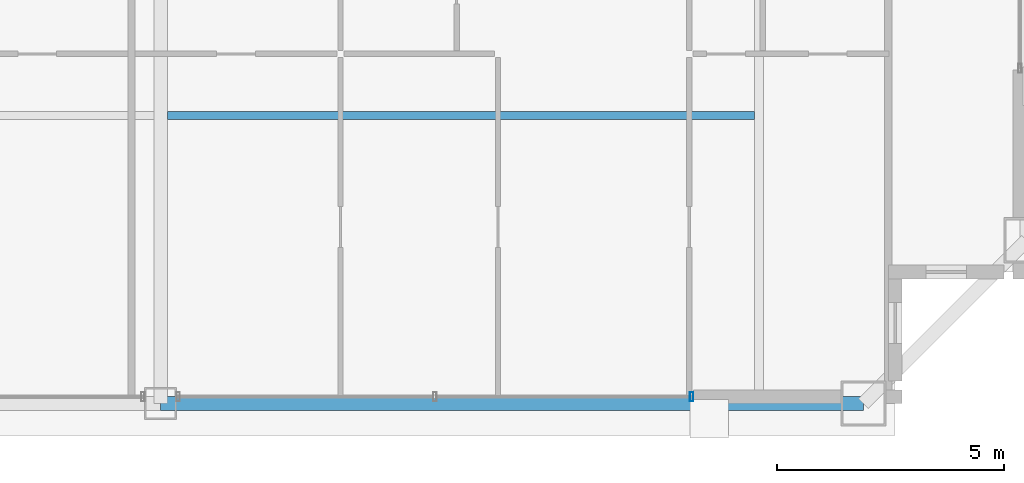
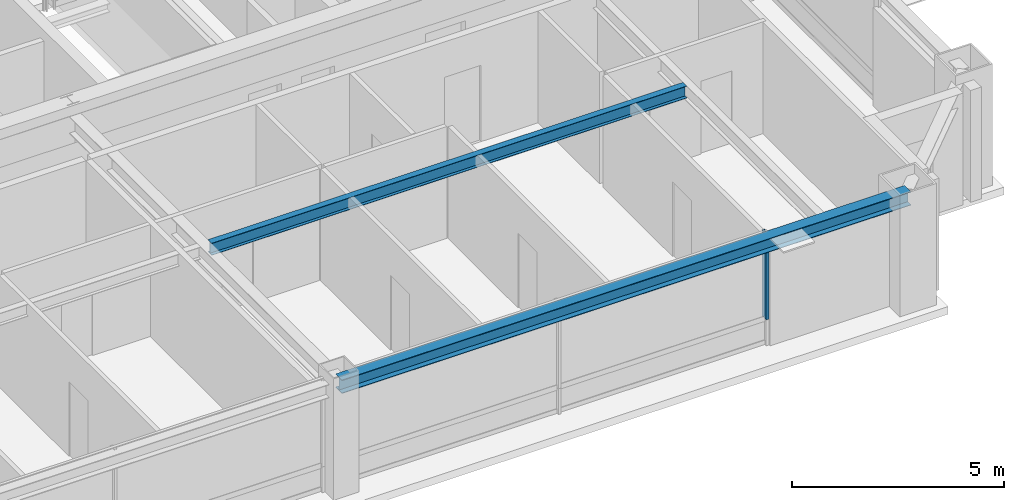
# One storey, part 9 of 35: 2 beams, 1 member, 1 element without a shape of its own.
"""IFC4 building model written with IfcOpenShell, lengths in metres."""

import ifcopenshell
import ifcopenshell.guid

model = None  # the IFC model being written
_history = None  # IfcOwnerHistory: only IFC2X3 demands one
_inside = {}  # id of a spatial element -> (the spatial element, [elements in it])
_under = {}  # id of a project, library or spatial element -> (it, [spatial elements below it])
_declared = {}  # id of a project -> (the project, [libraries it declares])
_typed = {}  # id of a type object -> (the type object, [elements of that type])
_made_of = {}  # id of a material, layer set ... -> (it, [elements and type objects made of it])


def new_model(schema):
    """Start an empty IFC model of exactly this schema.

    Asked for "IFC4X3", IfcOpenShell would pick the latest addendum, in which some entities
    have other attributes; the version numbers below select the first issue.
    IFC2X3 requires an IfcOwnerHistory on every rooted entity: one is made here for all.
    """
    global model, _history
    if schema == "IFC4X3":
        model = ifcopenshell.file(schema_version=(4, 3, 0, 0))
    else:
        model = ifcopenshell.file(schema=schema)
    _inside.clear()
    _under.clear()
    _declared.clear()
    _typed.clear()
    _made_of.clear()
    _history = None
    if model.schema == "IFC2X3":
        org = make("IfcOrganization", Name="unknown")
        user = make(
            "IfcPersonAndOrganization",
            ThePerson=make("IfcPerson", FamilyName="unknown"),
            TheOrganization=org,
        )
        app = make(
            "IfcApplication",
            ApplicationDeveloper=org,
            Version="unknown",
            ApplicationFullName="unknown",
            ApplicationIdentifier="unknown",
        )
        _history = make(
            "IfcOwnerHistory",
            OwningUser=user,
            OwningApplication=app,
            ChangeAction="ADDED",
            CreationDate=0,
        )
    return model


def make(cls, **values):
    """One entity of the class cls with the attributes given. An attribute that is None is left unset."""
    return model.create_entity(
        cls, **{name: value for name, value in values.items() if value is not None}
    )


def rooted(cls, **values):
    """An entity with a GlobalId (a new one), such as an element, a storey or a relation."""
    return make(cls, GlobalId=ifcopenshell.guid.new(), OwnerHistory=_history, **values)


def si_unit(unit_type, name, prefix=None):
    """IfcSIUnit, for example si_unit("LENGTHUNIT", "METRE", prefix="MILLI")."""
    return make("IfcSIUnit", UnitType=unit_type, Prefix=prefix, Name=name)


def assignment(units):
    """IfcUnitAssignment: the units of a project."""
    return None if units is None else make("IfcUnitAssignment", Units=units)


def point(xyz):
    """IfcCartesianPoint."""
    return None if xyz is None else make("IfcCartesianPoint", Coordinates=xyz)


def direction(xyz):
    """IfcDirection."""
    return None if xyz is None else make("IfcDirection", DirectionRatios=xyz)


def frame(location, z_axis=None, x_axis=None):
    """IfcAxis2Placement3D, a coordinate frame: its origin and axes. An axis left out is left unset."""
    return make(
        "IfcAxis2Placement3D",
        Location=point(location),
        Axis=direction(z_axis),
        RefDirection=direction(x_axis),
    )


def frame_2d(location, x_axis=None):
    """IfcAxis2Placement2D, a coordinate frame in the plane: its origin and x axis."""
    return make(
        "IfcAxis2Placement2D", Location=point(location), RefDirection=direction(x_axis)
    )


def origin():
    """The frame at (0, 0, 0) with its axes left unset."""
    return frame((0.0, 0.0, 0.0))


def origin_2d():
    """The frame at (0, 0) in the plane with its x axis left unset."""
    return frame_2d((0.0, 0.0))


def place(relative_to, where):
    """IfcLocalPlacement: puts the frame where relative to a parent placement (None: the world)."""
    return make(
        "IfcLocalPlacement", PlacementRelTo=relative_to, RelativePlacement=where
    )


def context(
    kind, dimensions, precision=None, world=None, true_north=None, identifier=None
):
    """IfcGeometricRepresentationContext, for example the 3D "Model" context."""
    return make(
        "IfcGeometricRepresentationContext",
        ContextIdentifier=identifier,
        ContextType=kind,
        CoordinateSpaceDimension=dimensions,
        Precision=precision,
        WorldCoordinateSystem=world,
        TrueNorth=true_north,
    )


def subcontext(parent, identifier, kind, view, scale=None):
    """IfcGeometricRepresentationSubContext, for example "Body" below "Model"."""
    return make(
        "IfcGeometricRepresentationSubContext",
        ContextIdentifier=identifier,
        ContextType=kind,
        ParentContext=parent,
        TargetScale=scale,
        TargetView=view,
    )


def project(units=None, contexts=None):
    """IfcProject with its units and contexts."""
    return rooted(
        "IfcProject",
        Name="project",
        RepresentationContexts=contexts,
        UnitsInContext=assignment(units),
    )


def spatial(cls, under=None, at=None, **own):
    """A site, building, storey or space (cls), placed at a placement, below another one or the project."""
    s = rooted(cls, ObjectPlacement=at, **own)
    if under is not None:
        _under.setdefault(under.id(), (under, []))[1].append(s)
    return s


def profile(cls, at=None, kind="AREA", **sizes):
    """A parametric profile (cls). Its sizes go by their IFC names, for example OverallWidth=200.0."""
    return make(cls, ProfileType=kind, Position=at, **sizes)


def hollow_rectangle(**sizes):
    """IfcRectangleHollowProfileDef."""
    return profile("IfcRectangleHollowProfileDef", **sizes)


def i_section(**sizes):
    """IfcIShapeProfileDef."""
    return profile("IfcIShapeProfileDef", **sizes)


def extrude(swept, where, along, depth):
    """IfcExtrudedAreaSolid: the profile swept, set in the frame where, extruded along a direction by depth."""
    return make(
        "IfcExtrudedAreaSolid",
        SweptArea=swept,
        Position=where,
        ExtrudedDirection=direction(along),
        Depth=depth,
    )


def shape(context_of_items, identifier, shape_type, items):
    """IfcShapeRepresentation: the items that make up one representation, for example the "Body"."""
    return make(
        "IfcShapeRepresentation",
        ContextOfItems=context_of_items,
        RepresentationIdentifier=identifier,
        RepresentationType=shape_type,
        Items=items,
    )


def source(mapping_origin, context_of_items, identifier, shape_type, items):
    """IfcRepresentationMap: a shape defined once, which mapped items show again and again."""
    return make(
        "IfcRepresentationMap",
        MappingOrigin=mapping_origin,
        MappedRepresentation=shape(context_of_items, identifier, shape_type, items),
    )


def transform(
    local_origin,
    x_axis=None,
    y_axis=None,
    z_axis=None,
    scale=None,
    scale2=None,
    scale3=None,
    uniform=True,
):
    """IfcCartesianTransformationOperator3D, or its non-uniform kind. x_axis, y_axis, z_axis: its Axis1, 2, 3."""
    if uniform:
        return make(
            "IfcCartesianTransformationOperator3D",
            Axis1=direction(x_axis),
            Axis2=direction(y_axis),
            LocalOrigin=point(local_origin),
            Scale=scale,
            Axis3=direction(z_axis),
        )
    return make(
        "IfcCartesianTransformationOperator3DnonUniform",
        Axis1=direction(x_axis),
        Axis2=direction(y_axis),
        LocalOrigin=point(local_origin),
        Scale=scale,
        Axis3=direction(z_axis),
        Scale2=scale2,
        Scale3=scale3,
    )


def mapped(mapping_source, mapping_target):
    """IfcMappedItem: shows the shape of a source again, moved by a transform."""
    return make(
        "IfcMappedItem", MappingSource=mapping_source, MappingTarget=mapping_target
    )


def material(Name=None, Category=None):
    """IfcMaterial."""
    return make("IfcMaterial", Name=Name, Category=Category)


def layer(
    of_material, thickness, ventilated=None, Name=None, Category=None, Priority=None
):
    """IfcMaterialLayer: one layer of a wall or slab, of a material (None: an air gap)."""
    return make(
        "IfcMaterialLayer",
        Material=of_material,
        LayerThickness=thickness,
        IsVentilated=ventilated,
        Name=Name,
        Category=Category,
        Priority=Priority,
    )


def layer_set(layers, Name=None):
    """IfcMaterialLayerSet."""
    return make("IfcMaterialLayerSet", MaterialLayers=layers, LayerSetName=Name)


def material_profile(
    of_material, cross_section, Name=None, Category=None, Priority=None
):
    """IfcMaterialProfile: a cross section and its material."""
    return make(
        "IfcMaterialProfile",
        Name=Name,
        Material=of_material,
        Profile=cross_section,
        Priority=Priority,
        Category=Category,
    )


def profile_set(profiles, Name=None, composite=None):
    """IfcMaterialProfileSet."""
    return make(
        "IfcMaterialProfileSet",
        Name=Name,
        MaterialProfiles=profiles,
        CompositeProfile=composite,
    )


def made_of(thing, what):
    """Note that an element or type object is made of a material, layer set ...; save() writes the relation."""
    if what is not None:
        _made_of.setdefault(what.id(), (what, []))[1].append(thing)
    return thing


def type_object(cls, material=None, **own):
    """A type object (cls), such as IfcWallType, which elements share."""
    return made_of(rooted(cls, **own), material)


def element(
    cls,
    number,
    at=None,
    inside=None,
    cuts=None,
    type_object=None,
    material=None,
    context=None,
    identifier="Body",
    shape_type=None,
    held_by="IfcProductDefinitionShape",
    body=None,
    shapes=None,
    **own,
):
    """One element of the class cls, such as IfcWall. Its Tag is "e" and its number.

    at: its placement. inside: the storey or other place that contains it. cuts: it is an
    opening in that element (IfcRelVoidsElement). A single representation is given by context,
    identifier, shape_type and body (its items); several are given by shapes. held_by: the class
    of the entity that holds the representations. save() writes the other relations.
    """
    e = rooted(cls, Tag="e%d" % number, ObjectPlacement=at, **own)
    if body is not None:
        shapes = [shape(context, identifier, shape_type, body)]
    if shapes is not None:
        e.Representation = make(held_by, Representations=shapes)
    if inside is not None:
        _inside.setdefault(inside.id(), (inside, []))[1].append(e)
    if cuts is not None:
        rooted(
            "IfcRelVoidsElement", RelatingBuildingElement=cuts, RelatedOpeningElement=e
        )
    if type_object is not None:
        _typed.setdefault(type_object.id(), (type_object, []))[1].append(e)
    return made_of(e, material)


def aggregate(whole, parts):
    """IfcRelAggregates: a whole, such as a stair, and the parts it consists of."""
    return rooted("IfcRelAggregates", RelatingObject=whole, RelatedObjects=parts)


def save(model, path):
    """Write the relations noted so far, then the file.

    IfcRelAggregates (storeys below a building ...), IfcRelContainedInSpatialStructure (elements
    in a storey), IfcRelDefinesByType, IfcRelAssociatesMaterial and IfcRelDeclares: one each for
    every whole, place, type object, material and project.
    """
    for whole, parts in _under.values():
        aggregate(whole, parts)
    for where, things in _inside.values():
        rooted(
            "IfcRelContainedInSpatialStructure",
            RelatedElements=things,
            RelatingStructure=where,
        )
    for kind, things in _typed.values():
        rooted("IfcRelDefinesByType", RelatedObjects=things, RelatingType=kind)
    for what, things in _made_of.values():
        rooted("IfcRelAssociatesMaterial", RelatedObjects=things, RelatingMaterial=what)
    for by, libraries in _declared.values():
        rooted("IfcRelDeclares", RelatingContext=by, RelatedDefinitions=libraries)
    model.write(path)


model = new_model("IFC4")

# Units and contexts
model_context = context("Model", 3, precision=1e-05, world=origin(), true_north=direction((0.0, 1.0)))
body_context = subcontext(model_context, "Body", "Model", "MODEL_VIEW")
ifc_project = project(units=[si_unit("LENGTHUNIT", "METRE"), si_unit("AREAUNIT", "SQUARE_METRE"), si_unit("VOLUMEUNIT", "CUBIC_METRE"), si_unit("PLANEANGLEUNIT", "RADIAN"), si_unit("MASSUNIT", "GRAM", prefix="KILO"), si_unit("THERMODYNAMICTEMPERATUREUNIT", "KELVIN"), si_unit("POWERUNIT", "WATT")], contexts=[model_context])

# Site, building, storey
site_placement = place(None, origin())
site = spatial("IfcSite", under=ifc_project, at=site_placement, CompositionType="ELEMENT")
building_placement = place(site_placement, origin())
building = spatial("IfcBuilding", under=site, at=building_placement, Name="Yuzanri Waterfront Tower", CompositionType="ELEMENT")
storey_placement = place(building_placement, frame((0.0, 0.0, 303.10009765625)))
storey = spatial("IfcBuildingStorey", under=building, at=storey_placement, Name="L81", CompositionType="ELEMENT", Elevation=303.10009765625)

# Beams
ifc_material_1 = material(Name="Steel Q355B", Category="steel")
ifc_material_profile_1 = material_profile(ifc_material_1, i_section(OverallWidth=0.175048828125, OverallDepth=0.35009765625, WebThickness=0.007080078125, FlangeThickness=0.010986328125, at=origin_2d()), Name="HN 350x175x7x11")
ifc_profile_set_1 = profile_set([ifc_material_profile_1], Name="Steel Q355B")
beam_type_1 = type_object("IfcBeamType", Name="Floor Joist Q355B HN 350x175", PredefinedType="JOIST", material=ifc_profile_set_1)
shared_shape_1 = source(origin(), body_context, "Body", "SweptSolid", [
    extrude(i_section(OverallWidth=0.175048828125, OverallDepth=0.35009765625, WebThickness=0.007080078125, FlangeThickness=0.010986328125, at=origin_2d()), origin(), (0.0, 0.0, 1.0), 12.9501953125),
])
beam_1_placement = place(storey_placement, frame((37.14990234375, 13.050048828125, 3.044921875), z_axis=(1.0, 0.0, 0.0), x_axis=(0.0, 1.0, 0.0)))
element("IfcBeam", 1, at=beam_1_placement, inside=storey, type_object=beam_type_1, Name="L81 South Bay Joist E", PredefinedType="JOIST", context=body_context, shape_type="MappedRepresentation", body=[
    mapped(shared_shape_1, transform((0.0, 0.0, 0.0), scale=1.0)),
])
ifc_material_2 = material(Name="Steel Q355B", Category="steel")
ifc_material_profile_2 = material_profile(ifc_material_2, i_section(OverallWidth=0.300048828125, OverallDepth=0.389892578125, WebThickness=0.010009765625, FlangeThickness=0.01611328125, at=origin_2d()), Name="HM 390x300x10x16")
ifc_profile_set_2 = profile_set([ifc_material_profile_2], Name="Steel Q355B")
beam_type_2 = type_object("IfcBeamType", Name="Perimeter Spandrel Q355B HM 390x300", PredefinedType="SPANDREL", material=ifc_profile_set_2)
shared_shape_2 = source(origin(), body_context, "Body", "SweptSolid", [
    extrude(i_section(OverallWidth=0.300048828125, OverallDepth=0.389892578125, WebThickness=0.010009765625, FlangeThickness=0.01611328125, at=origin_2d()), origin(), (0.0, 0.0, 1.0), 15.5),
])
beam_2_placement = place(storey_placement, frame((37.0, 6.699951171875, 3.02490234375), z_axis=(1.0, 0.0, 0.0), x_axis=(0.0, 1.0, 0.0)))
element("IfcBeam", 2, at=beam_2_placement, inside=storey, type_object=beam_type_2, Name="L81 Perimeter Spandrel S2-S3", PredefinedType="SPANDREL", context=body_context, shape_type="MappedRepresentation", body=[
    mapped(shared_shape_2, transform((0.0, 0.0, 0.0), scale=1.0)),
])

# Curtain wall, member
ifc_material_3 = material(Name="Anodized Architectural Bronze", Category="metal")
ifc_layer = layer(ifc_material_3, 0.159912109375)
ifc_layer_set = layer_set([ifc_layer], Name="Anodized Architectural Bronze")
curtain_wall_type = type_object("IfcCurtainWallType", Name="Anodized Bronze High-Rise Penthouse High-Wind Unitized Curtain Wall 6900", PredefinedType="NOTDEFINED", material=ifc_layer_set)
curtain_wall_placement = place(storey_placement, origin())
curtain_wall = element("IfcCurtainWall", 3, at=curtain_wall_placement, inside=storey, type_object=curtain_wall_type, Name="L81 Curtain Wall CW-L81-SR", PredefinedType="NOTDEFINED")
ifc_material_4 = material(Name="Anodized Architectural Bronze", Category="metal")
ifc_material_profile_3 = material_profile(ifc_material_4, hollow_rectangle(XDim=0.074951171875, YDim=0.199951171875, WallThickness=0.00390625, at=origin_2d()), Name="CWM 75x200")
ifc_profile_set_3 = profile_set([ifc_material_profile_3], Name="Anodized Architectural Bronze")
member_type = type_object("IfcMemberType", Name="Anodized Bronze Primary Curtain-Wall Mullion 75x200", PredefinedType="MULLION", material=ifc_profile_set_3)
shared_shape_3 = source(origin(), body_context, "Body", "SweptSolid", [
    extrude(hollow_rectangle(XDim=0.074951171875, YDim=0.199951171875, WallThickness=0.00390625, at=origin_2d()), origin(), (0.0, 0.0, 1.0), 2.47705078125),
])
member_placement = place(storey_placement, frame((48.7099609375, 6.85009765625, 0.742919921875), z_axis=(0.0, 0.0, 1.0), x_axis=(1.0, 0.0, 0.0)))
member = element("IfcMember", 4, at=member_placement, type_object=member_type, Name="CW-L81-SR Upper Mullion 02", PredefinedType="MULLION", context=body_context, shape_type="MappedRepresentation", body=[
    mapped(shared_shape_3, transform((0.0, 0.0, 0.0), scale=1.0)),
])
aggregate(curtain_wall, [member])

save(model, "model.ifc")
